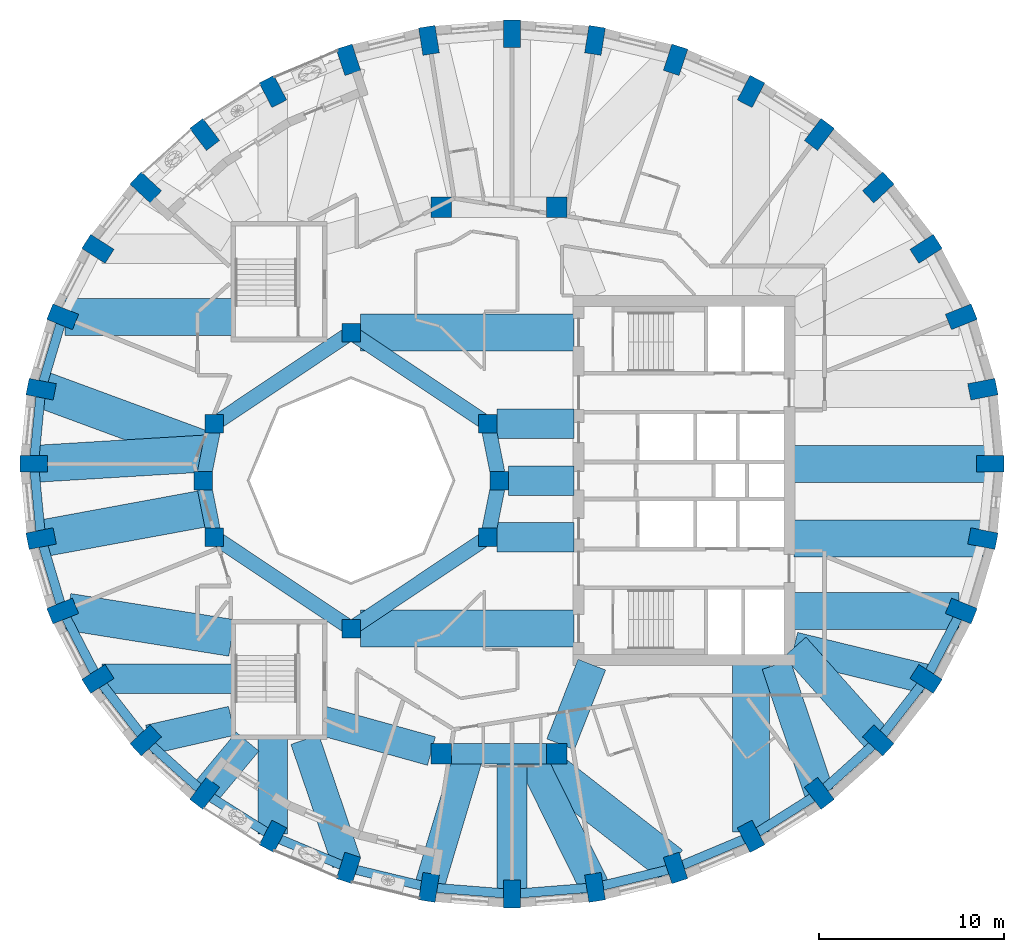
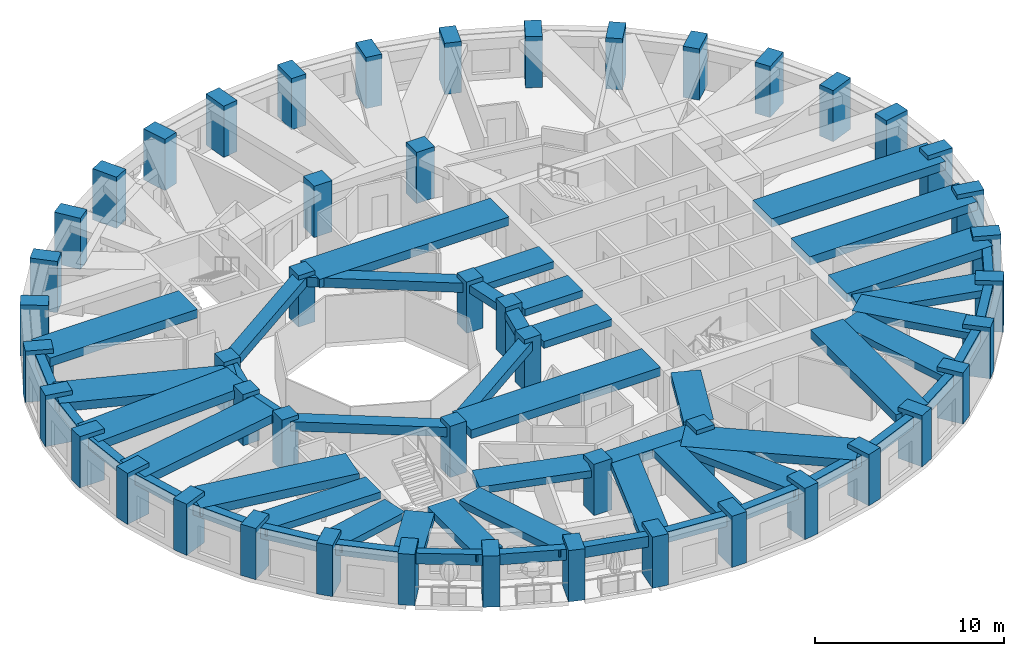
# One storey, part 1 of 12: 55 beams, 48 columns.
"""IFC4 building model written with IfcOpenShell, lengths in metres."""

from ifc_helpers import new_model, si_unit, direction, frame, origin, origin_2d, place, context, subcontext, project, spatial, rectangle, extrude, material, material_profile, profile_set, type_object, element, save


model = new_model("IFC4")

# Units and contexts
model_context = context("Model", 3, precision=1e-05, world=origin(), true_north=direction((0.0, 1.0)))
body_context = subcontext(model_context, "Body", "Model", "MODEL_VIEW")
ifc_project = project(units=[si_unit("LENGTHUNIT", "METRE"), si_unit("AREAUNIT", "SQUARE_METRE"), si_unit("VOLUMEUNIT", "CUBIC_METRE"), si_unit("PLANEANGLEUNIT", "RADIAN"), si_unit("MASSUNIT", "GRAM", prefix="KILO")], contexts=[model_context])

# Site, building, storey
site_placement = place(None, origin())
site = spatial("IfcSite", under=ifc_project, at=site_placement, CompositionType="ELEMENT")
building_placement = place(site_placement, origin())
building = spatial("IfcBuilding", under=site, at=building_placement, Name="Taillehof Tower", CompositionType="ELEMENT")
storey_placement = place(building_placement, frame((0.0, 0.0, 209.0)))
storey = spatial("IfcBuildingStorey", under=building, at=storey_placement, Name="L59", CompositionType="ELEMENT", Elevation=209.0)

# Columns
ifc_material_1 = material(Name="Concrete C50/60", Category="concrete")
ifc_material_profile_1 = material_profile(ifc_material_1, rectangle(XDim=1.0, YDim=1.0, at=origin_2d()), Name="RC 1000x1000")
ifc_profile_set_1 = profile_set([ifc_material_profile_1], Name="Concrete C50/60")
column_type_1 = type_object("IfcColumnType", Name="Atrium ring column C50/60 1000x1000", PredefinedType="COLUMN", material=ifc_profile_set_1)
for number, where, z_axis, x_axis, name in (
    (1, (0.0, 0.0, 0.0), (0.0, 0.0, 1.0), (1.0, 0.0, 0.0), "Column AC01"),
    (2, (-0.60888671875, 3.0615234375, 0.0), (0.0, 0.0, 1.0), (1.0, 0.0, 0.0), "Column AC02"),
    (3, (-8.0, 8.0, 0.0), (0.0, 0.0, 1.0), (1.0, 0.0, 0.0), "Column AC05"),
    (4, (-15.39111328125, 3.0615234375, 0.0), (0.0, 0.0, 1.0), (1.0, 0.0, 0.0), "Column AC08"),
    (5, (-16.0, 0.0, 0.0), (0.0, 0.0, 1.0), (1.0, 0.0, 0.0), "Column AC09"),
    (6, (-15.39111328125, -3.0615234375, 0.0), (0.0, 0.0, 1.0), (1.0, 0.0, 0.0), "Column AC10"),
    (7, (-8.0, -8.0, 0.0), (0.0, 0.0, 1.0), (1.0, 0.0, 0.0), "Column AC13"),
    (8, (-0.60888671875, -3.0615234375, 0.0), (0.0, 0.0, 1.0), (1.0, 0.0, 0.0), "Column AC16"),
):
    element("IfcColumn", number, at=place(storey_placement, frame(where, z_axis=z_axis, x_axis=x_axis)), inside=storey, type_object=column_type_1, Name=name, PredefinedType="COLUMN", context=body_context, shape_type="SweptSolid", body=[
        extrude(rectangle(XDim=1.0, YDim=1.0, at=origin_2d()), origin(), (0.0, 0.0, 1.0), 3.300048828125),
    ])
ifc_material_2 = material(Name="Concrete C50/60", Category="concrete")
ifc_material_profile_2 = material_profile(ifc_material_2, rectangle(XDim=1.10009765625, YDim=1.10009765625, at=origin_2d()), Name="RC 1100x1100")
ifc_profile_set_2 = profile_set([ifc_material_profile_2], Name="Concrete C50/60")
column_type_2 = type_object("IfcColumnType", Name="Mid-ring column C50/60 1100x1100", PredefinedType="COLUMN", material=ifc_profile_set_2)
for number, where, z_axis, x_axis, name in (
    (9, (3.125732421875, 14.772216796875, 0.0), (0.0, 0.0, 1.0), (1.0, 0.0, 0.0), "Column MC05"),
    (10, (-3.125732421875, 14.772216796875, 0.0), (0.0, 0.0, 1.0), (1.0, 0.0, 0.0), "Column MC06"),
    (11, (-3.125732421875, -14.772216796875, 0.0), (0.0, 0.0, 1.0), (1.0, 0.0, 0.0), "Column MC14"),
    (12, (3.125732421875, -14.772216796875, 0.0), (0.0, 0.0, 1.0), (1.0, 0.0, 0.0), "Column MC15"),
):
    element("IfcColumn", number, at=place(storey_placement, frame(where, z_axis=z_axis, x_axis=x_axis)), inside=storey, type_object=column_type_2, Name=name, PredefinedType="COLUMN", context=body_context, shape_type="SweptSolid", body=[
        extrude(rectangle(XDim=1.10009765625, YDim=1.10009765625, at=origin_2d()), origin(), (0.0, 0.0, 1.0), 3.300048828125),
    ])
ifc_material_3 = material(Name="Concrete C60/75", Category="concrete")
ifc_material_profile_3 = material_profile(ifc_material_3, rectangle(XDim=1.5, YDim=0.89990234375, at=origin_2d()), Name="RC 1500x900")
ifc_profile_set_3 = profile_set([ifc_material_profile_3], Name="Concrete C60/75")
column_type_3 = type_object("IfcColumnType", Name="Ring column C60/75 1500x900", PredefinedType="COLUMN", material=ifc_profile_set_3)
for number, where, z_axis, x_axis, name in (
    (13, (26.550048828125, 0.89990234375, 0.0), (0.0, 0.0, 1.0), (1.0, 0.0, 0.0), "Ring column RC01"),
    (14, (26.1572265625, 4.937255859375, 0.0), (0.0, 0.0, 1.0), (0.981433894538, 0.191800705555, 0.0), "Ring column RC02"),
    (15, (24.990966796875, 8.85205078125, 0.0), (0.0, 0.0, 1.0), (0.927385290523, 0.374107635477, 0.0), "Ring column RC03"),
    (16, (23.086669921875, 12.52490234375, 0.0), (0.0, 0.0, 1.0), (0.84231094199, 0.538991908107, 0.0), "Ring column RC04"),
    (17, (20.502197265625, 15.8447265625, 0.0), (0.0, 0.0, 1.0), (0.732270888356, 0.681013469813, 0.0), "Ring column RC05"),
    (18, (17.316162109375, 18.71044921875, 0.0), (0.0, 0.0, 1.0), (0.60360770772, 0.797281465469, 0.0), "Ring column RC06"),
    (19, (13.625, 21.03515625, 0.0), (0.0, 0.0, 1.0), (0.461993199576, 0.886883466722, 0.0), "Ring column RC07"),
    (20, (9.541259765625, 22.747802734375, 0.0), (0.0, 0.0, 1.0), (0.312001306843, 0.950081672557, 0.0), "Ring column RC08"),
    (21, (5.188720703125, 23.796875, 0.0), (0.0, 0.0, 1.0), (0.157116034607, 0.987580149491, 0.0), "Ring column RC09"),
    (22, (0.699951171875, 24.14990234375, 0.0), (0.0, 0.0, 1.0), (0.0, 1.0, 0.0), "Ring column RC10"),
    (23, (-3.788818359375, 23.796875, 0.0), (0.0, 0.0, 1.0), (-0.157116034607, 0.987580149491, 0.0), "Ring column RC11"),
    (24, (-8.14111328125, 22.747802734375, 0.0), (0.0, 0.0, 1.0), (-0.312001306843, 0.950081672557, 0.0), "Ring column RC12"),
    (25, (-12.22509765625, 21.03515625, 0.0), (0.0, 0.0, 1.0), (-0.461993199576, 0.886883466722, 0.0), "Ring column RC13"),
    (26, (-15.916015625, 18.71044921875, 0.0), (0.0, 0.0, 1.0), (-0.60360770772, 0.797281465469, 0.0), "Ring column RC14"),
    (27, (-19.102294921875, 15.8447265625, 0.0), (0.0, 0.0, 1.0), (-0.732270888356, 0.681013469813, 0.0), "Ring column RC15"),
    (28, (-21.686767578125, 12.52490234375, 0.0), (0.0, 0.0, 1.0), (-0.84231094199, 0.538991908107, 0.0), "Ring column RC16"),
    (29, (-23.591064453125, 8.85205078125, 0.0), (0.0, 0.0, 1.0), (-0.927385290523, 0.374107635477, 0.0), "Ring column RC17"),
    (30, (-24.75732421875, 4.937255859375, 0.0), (0.0, 0.0, 1.0), (-0.981433894538, 0.191800705555, 0.0), "Ring column RC18"),
    (31, (-25.14990234375, 0.89990234375, 0.0), (0.0, 0.0, 1.0), (-1.0, 0.0, 0.0), "Ring column RC19"),
    (32, (-24.75732421875, -3.13720703125, 0.0), (0.0, 0.0, 1.0), (-0.981433894538, -0.191800705555, 0.0), "Ring column RC20"),
    (33, (-23.591064453125, -7.052001953125, 0.0), (0.0, 0.0, 1.0), (-0.927385290523, -0.374107635477, 0.0), "Ring column RC21"),
    (34, (-21.686767578125, -10.72509765625, 0.0), (0.0, 0.0, 1.0), (-0.84231094199, -0.538991908107, 0.0), "Ring column RC22"),
    (35, (-19.102294921875, -14.044921875, 0.0), (0.0, 0.0, 1.0), (-0.732270888356, -0.681013469813, 0.0), "Ring column RC23"),
    (36, (-15.916015625, -16.91064453125, 0.0), (0.0, 0.0, 1.0), (-0.60360770772, -0.797281465469, 0.0), "Ring column RC24"),
    (37, (-12.22509765625, -19.235107421875, 0.0), (0.0, 0.0, 1.0), (-0.461993199576, -0.886883466722, 0.0), "Ring column RC25"),
    (38, (-8.14111328125, -20.94775390625, 0.0), (0.0, 0.0, 1.0), (-0.312001306843, -0.950081672557, 0.0), "Ring column RC26"),
    (39, (-3.788818359375, -21.996826171875, 0.0), (0.0, 0.0, 1.0), (-0.157116034607, -0.987580149491, 0.0), "Ring column RC27"),
    (40, (0.699951171875, -22.35009765625, 0.0), (0.0, 0.0, 1.0), (0.0, -1.0, 0.0), "Ring column RC28"),
    (41, (5.188720703125, -21.996826171875, 0.0), (0.0, 0.0, 1.0), (0.157116034607, -0.987580149491, 0.0), "Ring column RC29"),
    (42, (9.541259765625, -20.94775390625, 0.0), (0.0, 0.0, 1.0), (0.312001306843, -0.950081672557, 0.0), "Ring column RC30"),
    (43, (13.625, -19.235107421875, 0.0), (0.0, 0.0, 1.0), (0.461993199576, -0.886883466722, 0.0), "Ring column RC31"),
    (44, (17.316162109375, -16.91064453125, 0.0), (0.0, 0.0, 1.0), (0.60360770772, -0.797281465469, 0.0), "Ring column RC32"),
    (45, (20.502197265625, -14.044921875, 0.0), (0.0, 0.0, 1.0), (0.732270888356, -0.681013469813, 0.0), "Ring column RC33"),
    (46, (23.086669921875, -10.72509765625, 0.0), (0.0, 0.0, 1.0), (0.84231094199, -0.538991908107, 0.0), "Ring column RC34"),
    (47, (24.990966796875, -7.052001953125, 0.0), (0.0, 0.0, 1.0), (0.927385290523, -0.374107635477, 0.0), "Ring column RC35"),
    (48, (26.1572265625, -3.13720703125, 0.0), (0.0, 0.0, 1.0), (0.981433894538, -0.191800705555, 0.0), "Ring column RC36"),
):
    element("IfcColumn", number, at=place(storey_placement, frame(where, z_axis=z_axis, x_axis=x_axis)), inside=storey, type_object=column_type_3, Name=name, PredefinedType="COLUMN", context=body_context, shape_type="SweptSolid", body=[
        extrude(rectangle(XDim=1.5, YDim=0.89990234375, at=origin_2d()), origin(), (0.0, 0.0, 1.0), 3.300048828125),
    ])

# Beams
ifc_material_4 = material(Name="Concrete C50/60", Category="concrete")
ifc_material_profile_4 = material_profile(ifc_material_4, rectangle(XDim=0.800048828125, YDim=0.5, at=origin_2d()), Name="RC 800x500")
ifc_profile_set_4 = profile_set([ifc_material_profile_4], Name="Concrete C50/60")
beam_type_1 = type_object("IfcBeamType", Name="Atrium ring beam C50/60 800x500", PredefinedType="BEAM", material=ifc_profile_set_4)
for number, where, z_axis, x_axis, name in (
    (49, (0.0, 0.0, 2.77001953125), (-0.195063155143, 0.980790683839, 0.0), (-0.980790683839, -0.195063155143, 0.0), "Atrium ring beam AB01"),
    (50, (-15.39111328125, 3.0615234375, 2.77001953125), (-0.195063155143, -0.980790683839, 0.0), (0.980790683839, -0.195063155143, 0.0), "Atrium ring beam AB04"),
    (51, (-16.0, 0.0, 2.77001953125), (0.195063155143, -0.980790683839, 0.0), (0.980790683839, 0.195063155143, 0.0), "Atrium ring beam AB05"),
    (52, (-0.60888671875, -3.0615234375, 2.77001953125), (0.195063155143, 0.980790683839, 0.0), (-0.980790683839, 0.195063155143, 0.0), "Atrium ring beam AB08"),
):
    element("IfcBeam", number, at=place(storey_placement, frame(where, z_axis=z_axis, x_axis=x_axis)), inside=storey, type_object=beam_type_1, Name=name, PredefinedType="BEAM", context=body_context, shape_type="SweptSolid", body=[
        extrude(rectangle(XDim=0.800048828125, YDim=0.5, at=origin_2d()), origin(), (0.0, 0.0, 1.0), 3.12158203125),
    ])
ifc_material_5 = material(Name="Concrete C50/60", Category="concrete")
ifc_material_profile_5 = material_profile(ifc_material_5, rectangle(XDim=0.800048828125, YDim=0.60009765625, at=origin_2d()), Name="RC 800x600")
ifc_profile_set_5 = profile_set([ifc_material_profile_5], Name="Concrete C50/60")
beam_type_2 = type_object("IfcBeamType", Name="Atrium ring beam C50/60 800x600", PredefinedType="BEAM", material=ifc_profile_set_5)
for number, where, z_axis, x_axis, name in (
    (53, (-0.60888671875, 3.0615234375, 2.719970703125), (-0.831475195687, 0.555561876804, 0.0), (-0.555561876804, -0.831475195687, 0.0), "Atrium ring beam AB02"),
    (54, (-8.0, 8.0, 2.719970703125), (-0.831475195687, -0.555561876804, 0.0), (0.555561876804, -0.831475195687, 0.0), "Atrium ring beam AB03"),
    (55, (-15.39111328125, -3.0615234375, 2.719970703125), (0.831475195687, -0.555561876804, 0.0), (0.555561876804, 0.831475195687, 0.0), "Atrium ring beam AB06"),
    (56, (-8.0, -8.0, 2.719970703125), (0.831475195687, 0.555561876804, 0.0), (-0.555561876804, 0.831475195687, 0.0), "Atrium ring beam AB07"),
):
    element("IfcBeam", number, at=place(storey_placement, frame(where, z_axis=z_axis, x_axis=x_axis)), inside=storey, type_object=beam_type_2, Name=name, PredefinedType="BEAM", context=body_context, shape_type="SweptSolid", body=[
        extrude(rectangle(XDim=0.800048828125, YDim=0.60009765625, at=origin_2d()), origin(), (0.0, 0.0, 1.0), 8.88916015625),
    ])
ifc_material_6 = material(Name="Concrete C50/60", Category="concrete")
ifc_material_profile_6 = material_profile(ifc_material_6, rectangle(XDim=1.10009765625, YDim=0.60009765625, at=origin_2d()), Name="RC 1100x600")
ifc_profile_set_6 = profile_set([ifc_material_profile_6], Name="Concrete C50/60")
beam_type_3 = type_object("IfcBeamType", Name="Mid-ring beam C50/60 1100x600", PredefinedType="BEAM", material=ifc_profile_set_6)
beam_1_placement = place(storey_placement, frame((-3.125732421875, -14.772216796875, 2.719970703125), z_axis=(1.0, 0.0, 0.0), x_axis=(0.0, 1.0, 0.0)))
element("IfcBeam", 57, at=beam_1_placement, inside=storey, type_object=beam_type_3, Name="Mid-ring beam MB02", PredefinedType="BEAM", context=body_context, shape_type="SweptSolid", body=[
    extrude(rectangle(XDim=1.10009765625, YDim=0.60009765625, at=origin_2d()), origin(), (0.0, 0.0, 1.0), 6.25146484375),
])
ifc_material_7 = material(Name="Concrete C50/60", Category="concrete")
ifc_material_profile_7 = material_profile(ifc_material_7, rectangle(XDim=1.60009765625, YDim=0.449951171875, at=origin_2d()), Name="RC 1600x450")
ifc_profile_set_7 = profile_set([ifc_material_profile_7], Name="Concrete C50/60")
beam_type_4 = type_object("IfcBeamType", Name="Radial band beam C50/60 1600x450", PredefinedType="BEAM", material=ifc_profile_set_7)
beam_2_placement = place(storey_placement, frame((-21.47021484375, -10.72509765625, 2.794921875), z_axis=(1.0, 0.0, 0.0), x_axis=(0.0, 1.0, 0.0)))
element("IfcBeam", 58, at=beam_2_placement, inside=storey, type_object=beam_type_4, Name="Radial band beam RB22", PredefinedType="BEAM", context=body_context, shape_type="SweptSolid", body=[
    extrude(rectangle(XDim=1.60009765625, YDim=0.449951171875, at=origin_2d()), origin(), (0.0, 0.0, 1.0), 7.020263671875),
])
beam_3_placement = place(storey_placement, frame((-18.929931640625, -14.005615234375, 2.794921875), z_axis=(0.975193914537, 0.221352273651, 0.0), x_axis=(-0.221352273651, 0.975193914537, 0.0)))
element("IfcBeam", 59, at=beam_3_placement, inside=storey, type_object=beam_type_4, Name="Radial band beam RB23", PredefinedType="BEAM", context=body_context, shape_type="SweptSolid", body=[
    extrude(rectangle(XDim=1.60009765625, YDim=0.449951171875, at=origin_2d()), origin(), (0.0, 0.0, 1.0), 4.5927734375),
])
beam_4_placement = place(storey_placement, frame((-15.916015625, -16.91064453125, 2.794921875), z_axis=(0.638722345868, 0.769437304066, 0.0), x_axis=(-0.769437304066, 0.638722345868, 0.0)))
element("IfcBeam", 60, at=beam_4_placement, inside=storey, type_object=beam_type_4, Name="Radial band beam RB24", PredefinedType="BEAM", context=body_context, shape_type="SweptSolid", body=[
    extrude(rectangle(XDim=1.60009765625, YDim=0.449951171875, at=origin_2d()), origin(), (0.0, 0.0, 1.0), 3.6328125),
])
beam_5_placement = place(storey_placement, frame((-12.22509765625, -19.101318359375, 2.794921875), z_axis=(0.0, 1.0, 0.0), x_axis=(-1.0, 0.0, 0.0)))
element("IfcBeam", 61, at=beam_5_placement, inside=storey, type_object=beam_type_4, Name="Radial band beam RB25", PredefinedType="BEAM", context=body_context, shape_type="SweptSolid", body=[
    extrude(rectangle(XDim=1.60009765625, YDim=0.449951171875, at=origin_2d()), origin(), (0.0, 0.0, 1.0), 5.1513671875),
])
beam_6_placement = place(storey_placement, frame((-8.233642578125, -20.675537109375, 2.794921875), z_axis=(-0.321475101084, 0.94691803203, 0.0), x_axis=(-0.94691803203, -0.321475101084, 0.0)))
element("IfcBeam", 62, at=beam_6_placement, inside=storey, type_object=beam_type_4, Name="Radial band beam RB26", PredefinedType="BEAM", context=body_context, shape_type="SweptSolid", body=[
    extrude(rectangle(XDim=1.60009765625, YDim=0.449951171875, at=origin_2d()), origin(), (0.0, 0.0, 1.0), 7.042236328125),
])
beam_7_placement = place(storey_placement, frame((-3.788818359375, -21.996826171875, 2.794921875), z_axis=(0.286825122153, 0.957982958774, 0.0), x_axis=(-0.957982958774, 0.286825122153, 0.0)))
element("IfcBeam", 63, at=beam_7_placement, inside=storey, type_object=beam_type_4, Name="Radial band beam RB27", PredefinedType="BEAM", context=body_context, shape_type="SweptSolid", body=[
    extrude(rectangle(XDim=1.60009765625, YDim=0.449951171875, at=origin_2d()), origin(), (0.0, 0.0, 1.0), 7.54150390625),
])
beam_8_placement = place(storey_placement, frame((0.699951171875, -22.35009765625, 2.794921875), z_axis=(0.0, 1.0, 0.0), x_axis=(-1.0, 0.0, 0.0)))
element("IfcBeam", 64, at=beam_8_placement, inside=storey, type_object=beam_type_4, Name="Radial band beam RB28", PredefinedType="BEAM", context=body_context, shape_type="SweptSolid", body=[
    extrude(rectangle(XDim=1.60009765625, YDim=0.449951171875, at=origin_2d()), origin(), (0.0, 0.0, 1.0), 7.577880859375),
])
beam_9_placement = place(storey_placement, frame((5.188720703125, -21.996826171875, 2.794921875), z_axis=(-0.442309181818, 0.896862635903, 0.0), x_axis=(-0.896862635903, -0.442309181818, 0.0)))
element("IfcBeam", 65, at=beam_9_placement, inside=storey, type_object=beam_type_4, Name="Radial band beam RB29", PredefinedType="BEAM", context=body_context, shape_type="SweptSolid", body=[
    extrude(rectangle(XDim=1.60009765625, YDim=0.449951171875, at=origin_2d()), origin(), (0.0, 0.0, 1.0), 8.055419921875),
])
beam_10_placement = place(storey_placement, frame((17.314697265625, -16.906494140625, 2.794921875), z_axis=(-0.317775276173, 0.948166058164, 0.0), x_axis=(-0.948166058164, -0.317775276173, 0.0)))
element("IfcBeam", 66, at=beam_10_placement, inside=storey, type_object=beam_type_4, Name="Radial band beam RB32", PredefinedType="BEAM", context=body_context, shape_type="SweptSolid", body=[
    extrude(rectangle(XDim=1.60009765625, YDim=0.449951171875, at=origin_2d()), origin(), (0.0, 0.0, 1.0), 7.333984375),
])
beam_11_placement = place(storey_placement, frame((20.502197265625, -14.044921875, 2.794921875), z_axis=(-0.665845101725, 0.746090008316, 0.0), x_axis=(-0.746090008316, -0.665845101725, 0.0)))
element("IfcBeam", 67, at=beam_11_placement, inside=storey, type_object=beam_type_4, Name="Radial band beam RB33", PredefinedType="BEAM", context=body_context, shape_type="SweptSolid", body=[
    extrude(rectangle(XDim=1.60009765625, YDim=0.449951171875, at=origin_2d()), origin(), (0.0, 0.0, 1.0), 6.766357421875),
])
beam_12_placement = place(storey_placement, frame((23.07568359375, -10.722412109375, 2.794921875), z_axis=(-0.971629977108, 0.236506210459, 0.0), x_axis=(-0.236506210459, -0.971629977108, 0.0)))
element("IfcBeam", 68, at=beam_12_placement, inside=storey, type_object=beam_type_4, Name="Radial band beam RB34", PredefinedType="BEAM", context=body_context, shape_type="SweptSolid", body=[
    extrude(rectangle(XDim=1.60009765625, YDim=0.449951171875, at=origin_2d()), origin(), (0.0, 0.0, 1.0), 7.332275390625),
])
beam_13_placement = place(storey_placement, frame((0.5, 0.0, 2.794921875), z_axis=(1.0, 0.0, 0.0), x_axis=(0.0, 1.0, 0.0)))
element("IfcBeam", 69, at=beam_13_placement, inside=storey, type_object=beam_type_4, Name="Inner band beam IB101", PredefinedType="BEAM", context=body_context, shape_type="SweptSolid", body=[
    extrude(rectangle(XDim=1.60009765625, YDim=0.449951171875, at=origin_2d()), origin(), (0.0, 0.0, 1.0), 3.550048828125),
])
for number, where, z_axis, x_axis, name in (
    (70, (-0.10888671875, 3.0615234375, 2.794921875), (1.0, 0.0, 0.0), (0.0, 1.0, 0.0), "Inner band beam IB102"),
    (71, (-0.10888671875, -3.0615234375, 2.794921875), (1.0, 0.0, 0.0), (0.0, 1.0, 0.0), "Inner band beam IB116"),
):
    element("IfcBeam", number, at=place(storey_placement, frame(where, z_axis=z_axis, x_axis=x_axis)), inside=storey, type_object=beam_type_4, Name=name, PredefinedType="BEAM", context=body_context, shape_type="SweptSolid", body=[
        extrude(rectangle(XDim=1.60009765625, YDim=0.449951171875, at=origin_2d()), origin(), (0.0, 0.0, 1.0), 4.158935546875),
    ])
beam_14_placement = place(storey_placement, frame((-3.655517578125, -14.624755859375, 2.794921875), z_axis=(-0.963459369536, 0.267854518821, 0.0), x_axis=(-0.267854518821, -0.963459369536, 0.0)))
element("IfcBeam", 72, at=beam_14_placement, inside=storey, type_object=beam_type_4, Name="Inner band beam IB214", PredefinedType="BEAM", context=body_context, shape_type="SweptSolid", body=[
    extrude(rectangle(XDim=1.60009765625, YDim=0.449951171875, at=origin_2d()), origin(), (0.0, 0.0, 1.0), 6.096923828125),
])
beam_15_placement = place(storey_placement, frame((3.32666015625, -14.26025390625, 2.794921875), z_axis=(0.365588707223, 0.930776502255, 0.0), x_axis=(-0.930776502255, 0.365588707223, 0.0)))
element("IfcBeam", 73, at=beam_15_placement, inside=storey, type_object=beam_type_4, Name="Inner band beam IB215", PredefinedType="BEAM", context=body_context, shape_type="SweptSolid", body=[
    extrude(rectangle(XDim=1.60009765625, YDim=0.449951171875, at=origin_2d()), origin(), (0.0, 0.0, 1.0), 4.627197265625),
])
ifc_material_8 = material(Name="Concrete C50/60", Category="concrete")
ifc_material_profile_8 = material_profile(ifc_material_8, rectangle(XDim=2.0, YDim=0.550048828125, at=origin_2d()), Name="RC 2000x550")
ifc_profile_set_8 = profile_set([ifc_material_profile_8], Name="Concrete C50/60")
beam_type_5 = type_object("IfcBeamType", Name="Radial band beam C50/60 2000x550", PredefinedType="BEAM", material=ifc_profile_set_8)
beam_16_placement = place(storey_placement, frame((26.550048828125, 0.89990234375, 2.7451171875), z_axis=(-1.0, 0.0, 0.0), x_axis=(0.0, -1.0, 0.0)))
element("IfcBeam", 74, at=beam_16_placement, inside=storey, type_object=beam_type_5, Name="Radial band beam RB01", PredefinedType="BEAM", context=body_context, shape_type="SweptSolid", body=[
    extrude(rectangle(XDim=2.0, YDim=0.550048828125, at=origin_2d()), origin(), (0.0, 0.0, 1.0), 10.60009765625),
])
beam_17_placement = place(storey_placement, frame((-23.4560546875, 8.85205078125, 2.7451171875), z_axis=(1.0, 0.0, 0.0), x_axis=(0.0, 1.0, 0.0)))
element("IfcBeam", 75, at=beam_17_placement, inside=storey, type_object=beam_type_5, Name="Radial band beam RB17", PredefinedType="BEAM", context=body_context, shape_type="SweptSolid", body=[
    extrude(rectangle(XDim=2.0, YDim=0.550048828125, at=origin_2d()), origin(), (0.0, 0.0, 1.0), 9.006103515625),
])
beam_18_placement = place(storey_placement, frame((-24.75732421875, 4.937255859375, 2.7451171875), z_axis=(0.938209870924, -0.346066811615, 0.0), x_axis=(0.346066811615, 0.938209870924, 0.0)))
element("IfcBeam", 76, at=beam_18_placement, inside=storey, type_object=beam_type_5, Name="Radial band beam RB18", PredefinedType="BEAM", context=body_context, shape_type="SweptSolid", body=[
    extrude(rectangle(XDim=2.0, YDim=0.550048828125, at=origin_2d()), origin(), (0.0, 0.0, 1.0), 9.67138671875),
])
beam_19_placement = place(storey_placement, frame((-25.14990234375, 0.89990234375, 2.7451171875), z_axis=(0.998174819199, 0.060390647592, 0.0), x_axis=(-0.060390647592, 0.998174819199, 0.0)))
element("IfcBeam", 77, at=beam_19_placement, inside=storey, type_object=beam_type_5, Name="Radial band beam RB19", PredefinedType="BEAM", context=body_context, shape_type="SweptSolid", body=[
    extrude(rectangle(XDim=2.0, YDim=0.550048828125, at=origin_2d()), origin(), (0.0, 0.0, 1.0), 9.4599609375),
])
beam_20_placement = place(storey_placement, frame((-24.75732421875, -3.13720703125, 2.7451171875), z_axis=(0.983474452744, 0.181046957445, 0.0), x_axis=(-0.181046957445, 0.983474452744, 0.0)))
element("IfcBeam", 78, at=beam_20_placement, inside=storey, type_object=beam_type_5, Name="Radial band beam RB20", PredefinedType="BEAM", context=body_context, shape_type="SweptSolid", body=[
    extrude(rectangle(XDim=2.0, YDim=0.550048828125, at=origin_2d()), origin(), (0.0, 0.0, 1.0), 9.2021484375),
])
beam_21_placement = place(storey_placement, frame((-23.3076171875, -7.09716796875, 2.7451171875), z_axis=(0.987552836313, -0.157287620272, 0.0), x_axis=(0.157287620272, 0.987552836313, 0.0)))
element("IfcBeam", 79, at=beam_21_placement, inside=storey, type_object=beam_type_5, Name="Radial band beam RB21", PredefinedType="BEAM", context=body_context, shape_type="SweptSolid", body=[
    extrude(rectangle(XDim=2.0, YDim=0.550048828125, at=origin_2d()), origin(), (0.0, 0.0, 1.0), 8.968505859375),
])
beam_22_placement = place(storey_placement, frame((9.3076171875, -20.765625, 2.7451171875), z_axis=(-0.788425359087, 0.615130435882, 0.0), x_axis=(-0.615130435882, -0.788425359087, 0.0)))
element("IfcBeam", 80, at=beam_22_placement, inside=storey, type_object=beam_type_5, Name="Radial band beam RB30", PredefinedType="BEAM", context=body_context, shape_type="SweptSolid", body=[
    extrude(rectangle(XDim=2.0, YDim=0.550048828125, at=origin_2d()), origin(), (0.0, 0.0, 1.0), 9.35595703125),
])
beam_23_placement = place(storey_placement, frame((13.625, -18.99755859375, 2.7451171875), z_axis=(0.0, 1.0, 0.0), x_axis=(-1.0, 0.0, 0.0)))
element("IfcBeam", 81, at=beam_23_placement, inside=storey, type_object=beam_type_5, Name="Radial band beam RB31", PredefinedType="BEAM", context=body_context, shape_type="SweptSolid", body=[
    extrude(rectangle(XDim=2.0, YDim=0.550048828125, at=origin_2d()), origin(), (0.0, 0.0, 1.0), 9.047607421875),
])
beam_24_placement = place(storey_placement, frame((24.856201171875, -7.052001953125, 2.7451171875), z_axis=(-1.0, 0.0, 0.0), x_axis=(0.0, -1.0, 0.0)))
element("IfcBeam", 82, at=beam_24_placement, inside=storey, type_object=beam_type_5, Name="Radial band beam RB35", PredefinedType="BEAM", context=body_context, shape_type="SweptSolid", body=[
    extrude(rectangle(XDim=2.0, YDim=0.550048828125, at=origin_2d()), origin(), (0.0, 0.0, 1.0), 8.90625),
])
beam_25_placement = place(storey_placement, frame((26.1572265625, -3.13720703125, 2.7451171875), z_axis=(-1.0, 0.0, 0.0), x_axis=(0.0, -1.0, 0.0)))
element("IfcBeam", 83, at=beam_25_placement, inside=storey, type_object=beam_type_5, Name="Radial band beam RB36", PredefinedType="BEAM", context=body_context, shape_type="SweptSolid", body=[
    extrude(rectangle(XDim=2.0, YDim=0.550048828125, at=origin_2d()), origin(), (0.0, 0.0, 1.0), 10.207275390625),
])
for number, where, z_axis, x_axis, name in (
    (84, (-7.5, 8.0, 2.7451171875), (1.0, 0.0, 0.0), (0.0, 1.0, 0.0), "Inner band beam IB105"),
    (85, (-7.5, -8.0, 2.7451171875), (1.0, 0.0, 0.0), (0.0, 1.0, 0.0), "Inner band beam IB113"),
):
    element("IfcBeam", number, at=place(storey_placement, frame(where, z_axis=z_axis, x_axis=x_axis)), inside=storey, type_object=beam_type_5, Name=name, PredefinedType="BEAM", context=body_context, shape_type="SweptSolid", body=[
        extrude(rectangle(XDim=2.0, YDim=0.550048828125, at=origin_2d()), origin(), (0.0, 0.0, 1.0), 11.550048828125),
    ])
ifc_material_9 = material(Name="Concrete C50/60", Category="concrete")
ifc_material_profile_9 = material_profile(ifc_material_9, rectangle(XDim=0.5, YDim=0.699951171875, at=origin_2d()), Name="RC 500x700")
ifc_profile_set_9 = profile_set([ifc_material_profile_9], Name="Concrete C50/60")
beam_type_6 = type_object("IfcBeamType", Name="Spandrel beam C50/60 500x700", PredefinedType="SPANDREL", material=ifc_profile_set_9)
beam_26_placement = place(storey_placement, frame((-23.591064453125, 8.85205078125, 2.669921875), z_axis=(-0.285510458946, -0.9583755933, 0.0), x_axis=(0.9583755933, -0.285510458946, 0.0)))
element("IfcBeam", 86, at=beam_26_placement, inside=storey, type_object=beam_type_6, Name="Spandrel beam SB17", PredefinedType="SPANDREL", context=body_context, shape_type="SweptSolid", body=[
    extrude(rectangle(XDim=0.5, YDim=0.699951171875, at=origin_2d()), origin(), (0.0, 0.0, 1.0), 4.084716796875),
])
beam_27_placement = place(storey_placement, frame((-24.75732421875, 4.937255859375, 2.669921875), z_axis=(-0.096780051712, -0.995305793006, 0.0), x_axis=(0.995305793006, -0.096780051712, 0.0)))
element("IfcBeam", 87, at=beam_27_placement, inside=storey, type_object=beam_type_6, Name="Spandrel beam SB18", PredefinedType="SPANDREL", context=body_context, shape_type="SweptSolid", body=[
    extrude(rectangle(XDim=0.5, YDim=0.699951171875, at=origin_2d()), origin(), (0.0, 0.0, 1.0), 4.056396484375),
])
beam_28_placement = place(storey_placement, frame((-25.14990234375, 0.89990234375, 2.669921875), z_axis=(0.096785849576, -0.995305229225, 0.0), x_axis=(0.995305229225, 0.096785849576, 0.0)))
element("IfcBeam", 88, at=beam_28_placement, inside=storey, type_object=beam_type_6, Name="Spandrel beam SB19", PredefinedType="SPANDREL", context=body_context, shape_type="SweptSolid", body=[
    extrude(rectangle(XDim=0.5, YDim=0.699951171875, at=origin_2d()), origin(), (0.0, 0.0, 1.0), 4.05615234375),
])
beam_29_placement = place(storey_placement, frame((-24.75732421875, -3.13720703125, 2.669921875), z_axis=(0.285510458946, -0.9583755933, 0.0), x_axis=(0.9583755933, 0.285510458946, 0.0)))
element("IfcBeam", 89, at=beam_29_placement, inside=storey, type_object=beam_type_6, Name="Spandrel beam SB20", PredefinedType="SPANDREL", context=body_context, shape_type="SweptSolid", body=[
    extrude(rectangle(XDim=0.5, YDim=0.699951171875, at=origin_2d()), origin(), (0.0, 0.0, 1.0), 4.084716796875),
])
beam_30_placement = place(storey_placement, frame((-23.591064453125, -7.052001953125, 2.669921875), z_axis=(0.460265491458, -0.887781322947, 0.0), x_axis=(0.887781322947, 0.460265491458, 0.0)))
element("IfcBeam", 90, at=beam_30_placement, inside=storey, type_object=beam_type_6, Name="Spandrel beam SB21", PredefinedType="SPANDREL", context=body_context, shape_type="SweptSolid", body=[
    extrude(rectangle(XDim=0.5, YDim=0.699951171875, at=origin_2d()), origin(), (0.0, 0.0, 1.0), 4.137451171875),
])
beam_31_placement = place(storey_placement, frame((-21.686767578125, -10.72509765625, 2.669921875), z_axis=(0.614294081938, -0.789077170432, 0.0), x_axis=(0.789077170432, 0.614294081938, 0.0)))
element("IfcBeam", 91, at=beam_31_placement, inside=storey, type_object=beam_type_6, Name="Spandrel beam SB22", PredefinedType="SPANDREL", context=body_context, shape_type="SweptSolid", body=[
    extrude(rectangle(XDim=0.5, YDim=0.699951171875, at=origin_2d()), origin(), (0.0, 0.0, 1.0), 4.207275390625),
])
beam_32_placement = place(storey_placement, frame((-19.102294921875, -14.044921875, 2.669921875), z_axis=(0.743517893617, -0.668716039789, 0.0), x_axis=(0.668716039789, 0.743517893617, 0.0)))
element("IfcBeam", 92, at=beam_32_placement, inside=storey, type_object=beam_type_6, Name="Spandrel beam SB23", PredefinedType="SPANDREL", context=body_context, shape_type="SweptSolid", body=[
    extrude(rectangle(XDim=0.5, YDim=0.699951171875, at=origin_2d()), origin(), (0.0, 0.0, 1.0), 4.285400390625),
])
beam_33_placement = place(storey_placement, frame((-15.916015625, -16.91064453125, 2.669921875), z_axis=(0.846175819179, -0.532903821564, 0.0), x_axis=(0.532903821564, 0.846175819179, 0.0)))
element("IfcBeam", 93, at=beam_33_placement, inside=storey, type_object=beam_type_6, Name="Spandrel beam SB24", PredefinedType="SPANDREL", context=body_context, shape_type="SweptSolid", body=[
    extrude(rectangle(XDim=0.5, YDim=0.699951171875, at=origin_2d()), origin(), (0.0, 0.0, 1.0), 4.36181640625),
])
beam_34_placement = place(storey_placement, frame((-12.22509765625, -19.235107421875, 2.669921875), z_axis=(0.922193747603, -0.386728188632, 0.0), x_axis=(0.386728188632, 0.922193747603, 0.0)))
element("IfcBeam", 94, at=beam_34_placement, inside=storey, type_object=beam_type_6, Name="Spandrel beam SB25", PredefinedType="SPANDREL", context=body_context, shape_type="SweptSolid", body=[
    extrude(rectangle(XDim=0.5, YDim=0.699951171875, at=origin_2d()), origin(), (0.0, 0.0, 1.0), 4.428466796875),
])
beam_35_placement = place(storey_placement, frame((-8.14111328125, -20.94775390625, 2.669921875), z_axis=(0.972157646478, -0.234327784087, 0.0), x_axis=(0.234327784087, 0.972157646478, 0.0)))
element("IfcBeam", 95, at=beam_35_placement, inside=storey, type_object=beam_type_6, Name="Spandrel beam SB26", PredefinedType="SPANDREL", context=body_context, shape_type="SweptSolid", body=[
    extrude(rectangle(XDim=0.5, YDim=0.699951171875, at=origin_2d()), origin(), (0.0, 0.0, 1.0), 4.47705078125),
])
for number, where, z_axis, x_axis, name in (
    (96, (-3.788818359375, -21.996826171875, 2.669921875), (0.996917374369, -0.078458579393, 0.0), (0.078458579393, 0.996917374369, 0.0), "Spandrel beam SB27"),
    (97, (0.699951171875, -22.35009765625, 2.669921875), (0.996917374369, 0.078458579393, 0.0), (-0.078458579393, 0.996917374369, 0.0), "Spandrel beam SB28"),
):
    element("IfcBeam", number, at=place(storey_placement, frame(where, z_axis=z_axis, x_axis=x_axis)), inside=storey, type_object=beam_type_6, Name=name, PredefinedType="SPANDREL", context=body_context, shape_type="SweptSolid", body=[
        extrude(rectangle(XDim=0.5, YDim=0.699951171875, at=origin_2d()), origin(), (0.0, 0.0, 1.0), 4.502685546875),
    ])
beam_36_placement = place(storey_placement, frame((5.188720703125, -21.996826171875, 2.669921875), z_axis=(0.972160640613, 0.234315361943, 0.0), x_axis=(-0.234315361943, 0.972160640613, 0.0)))
element("IfcBeam", 98, at=beam_36_placement, inside=storey, type_object=beam_type_6, Name="Spandrel beam SB29", PredefinedType="SPANDREL", context=body_context, shape_type="SweptSolid", body=[
    extrude(rectangle(XDim=0.5, YDim=0.699951171875, at=origin_2d()), origin(), (0.0, 0.0, 1.0), 4.477294921875),
])
beam_37_placement = place(storey_placement, frame((9.541259765625, -20.94775390625, 2.669921875), z_axis=(0.92218550199, 0.386747850569, 0.0), x_axis=(-0.386747850569, 0.92218550199, 0.0)))
element("IfcBeam", 99, at=beam_37_placement, inside=storey, type_object=beam_type_6, Name="Spandrel beam SB30", PredefinedType="SPANDREL", context=body_context, shape_type="SweptSolid", body=[
    extrude(rectangle(XDim=0.5, YDim=0.699951171875, at=origin_2d()), origin(), (0.0, 0.0, 1.0), 4.42822265625),
])
beam_38_placement = place(storey_placement, frame((13.625, -19.235107421875, 2.669921875), z_axis=(0.846191713174, 0.532878583314, 0.0), x_axis=(-0.532878583314, 0.846191713174, 0.0)))
element("IfcBeam", 100, at=beam_38_placement, inside=storey, type_object=beam_type_6, Name="Spandrel beam SB31", PredefinedType="SPANDREL", context=body_context, shape_type="SweptSolid", body=[
    extrude(rectangle(XDim=0.5, YDim=0.699951171875, at=origin_2d()), origin(), (0.0, 0.0, 1.0), 4.362060546875),
])
beam_39_placement = place(storey_placement, frame((17.316162109375, -16.91064453125, 2.669921875), z_axis=(0.743492416006, 0.668744366213, 0.0), x_axis=(-0.668744366213, 0.743492416006, 0.0)))
element("IfcBeam", 101, at=beam_39_placement, inside=storey, type_object=beam_type_6, Name="Spandrel beam SB32", PredefinedType="SPANDREL", context=body_context, shape_type="SweptSolid", body=[
    extrude(rectangle(XDim=0.5, YDim=0.699951171875, at=origin_2d()), origin(), (0.0, 0.0, 1.0), 4.28515625),
])
beam_40_placement = place(storey_placement, frame((20.502197265625, -14.044921875, 2.669921875), z_axis=(0.614294081938, 0.789077170432, 0.0), x_axis=(-0.789077170432, 0.614294081938, 0.0)))
element("IfcBeam", 102, at=beam_40_placement, inside=storey, type_object=beam_type_6, Name="Spandrel beam SB33", PredefinedType="SPANDREL", context=body_context, shape_type="SweptSolid", body=[
    extrude(rectangle(XDim=0.5, YDim=0.699951171875, at=origin_2d()), origin(), (0.0, 0.0, 1.0), 4.207275390625),
])
beam_41_placement = place(storey_placement, frame((23.086669921875, -10.72509765625, 2.669921875), z_axis=(0.460265491458, 0.887781322947, 0.0), x_axis=(-0.887781322947, 0.460265491458, 0.0)))
element("IfcBeam", 103, at=beam_41_placement, inside=storey, type_object=beam_type_6, Name="Spandrel beam SB34", PredefinedType="SPANDREL", context=body_context, shape_type="SweptSolid", body=[
    extrude(rectangle(XDim=0.5, YDim=0.699951171875, at=origin_2d()), origin(), (0.0, 0.0, 1.0), 4.137451171875),
])

save(model, "model.ifc")
